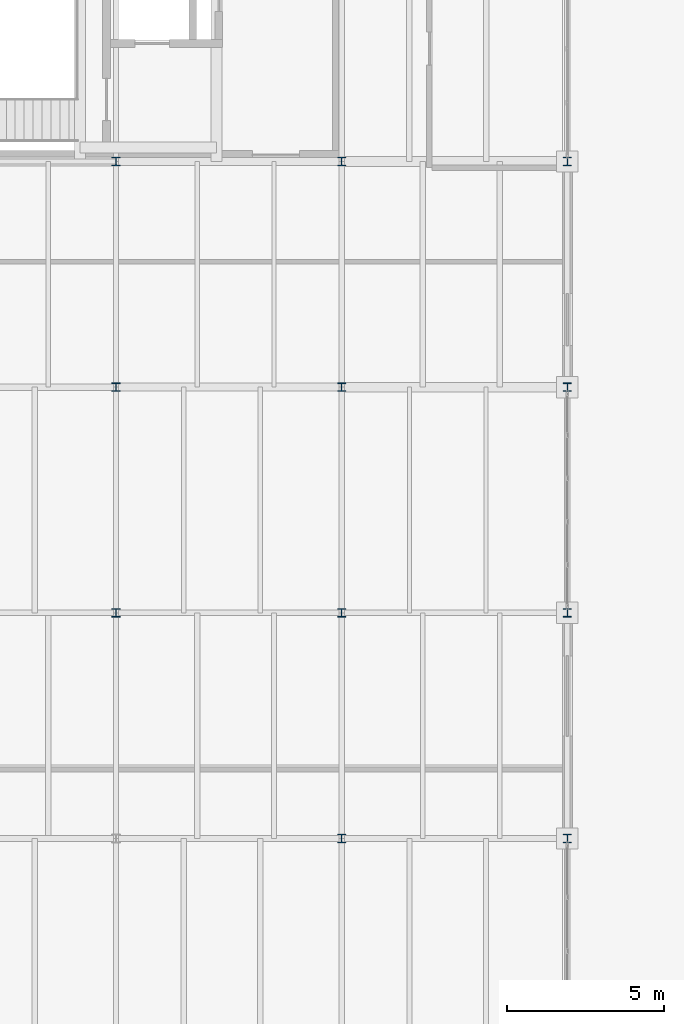
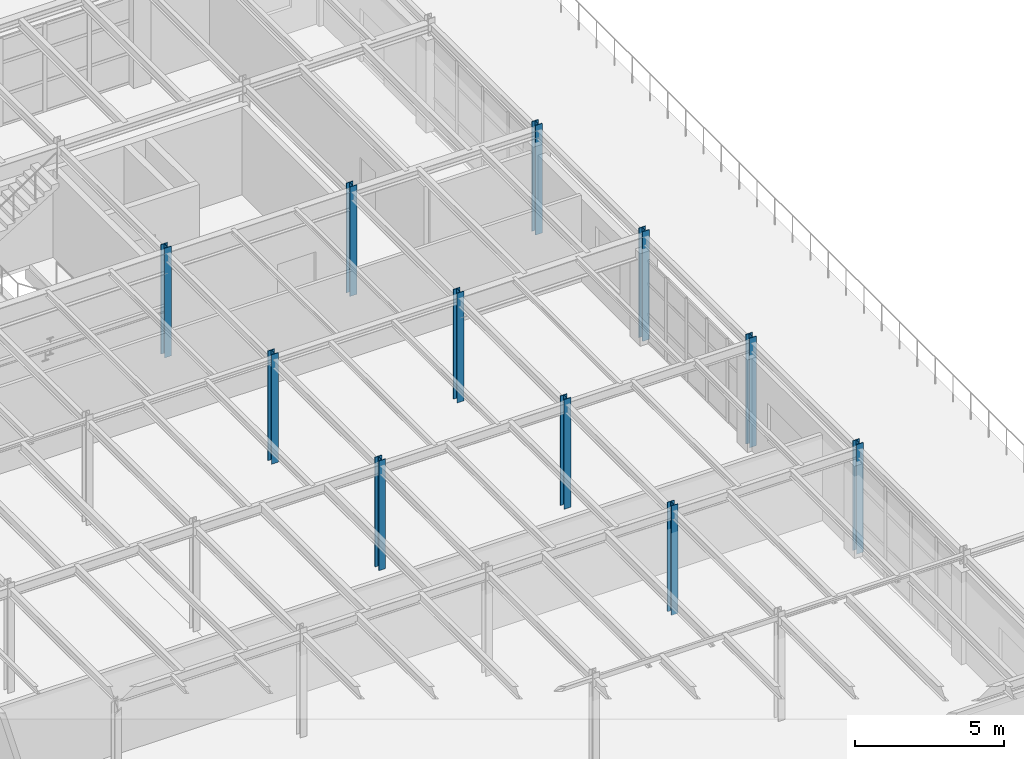
# One storey, part 5 of 101: 11 columns.
"""IFC4 building model written with IfcOpenShell, lengths in metres."""

from ifc_helpers import new_model, si_unit, direction, frame, origin, origin_2d, place, context, subcontext, project, spatial, i_section, extrude, material, material_profile, profile_set, type_object, element, save


model = new_model("IFC4")

# Units and contexts
model_context = context("Model", 3, precision=1e-05, world=origin(), true_north=direction((0.0, 1.0)))
body_context = subcontext(model_context, "Body", "Model", "MODEL_VIEW")
ifc_project = project(units=[si_unit("LENGTHUNIT", "METRE"), si_unit("AREAUNIT", "SQUARE_METRE"), si_unit("VOLUMEUNIT", "CUBIC_METRE"), si_unit("PLANEANGLEUNIT", "RADIAN"), si_unit("MASSUNIT", "GRAM", prefix="KILO")], contexts=[model_context])

# Site, building, storey
site_placement = place(None, origin())
site = spatial("IfcSite", under=ifc_project, at=site_placement, CompositionType="ELEMENT")
building_placement = place(site_placement, origin())
building = spatial("IfcBuilding", under=site, at=building_placement, Name="Kemerveld Promenade Tramway Depot", CompositionType="ELEMENT")
storey_placement = place(building_placement, frame((0.0, 0.0, 9.89990234375)))
storey = spatial("IfcBuildingStorey", under=building, at=storey_placement, Name="L02", CompositionType="ELEMENT", Elevation=9.89990234375)

# Columns
ifc_material = material(Name="Steel S355", Category="steel")
ifc_material_profile = material_profile(ifc_material, i_section(OverallWidth=0.26123046875, OverallDepth=0.2763671875, WebThickness=0.015380859375, FlangeThickness=0.025390625, FilletRadius=0.0126953125, at=origin_2d()), Name="254x254x132 UC")
ifc_profile_set = profile_set([ifc_material_profile], Name="Steel S355")
column_type = type_object("IfcColumnType", Name="COL-S07", PredefinedType="COLUMN", material=ifc_profile_set)
for number, where, z_axis, x_axis, name in (
    (1, (36.0, 43.199951171875, 0.0), (0.0, 0.0, 1.0), (1.0, 0.0, 0.0), "COL-L02-06-G"),
    (2, (36.0, 50.39990234375, 0.0), (0.0, 0.0, 1.0), (1.0, 0.0, 0.0), "COL-L02-06-H"),
    (3, (36.0, 57.60009765625, 0.0), (0.0, 0.0, 1.0), (1.0, 0.0, 0.0), "COL-L02-06-J"),
    (4, (43.199951171875, 36.0, 0.0), (0.0, 0.0, 1.0), (1.0, 0.0, 0.0), "COL-L02-07-F"),
    (5, (43.199951171875, 43.199951171875, 0.0), (0.0, 0.0, 1.0), (1.0, 0.0, 0.0), "COL-L02-07-G"),
    (6, (43.199951171875, 50.39990234375, 0.0), (0.0, 0.0, 1.0), (1.0, 0.0, 0.0), "COL-L02-07-H"),
    (7, (43.199951171875, 57.60009765625, 0.0), (0.0, 0.0, 1.0), (1.0, 0.0, 0.0), "COL-L02-07-J"),
    (8, (50.39990234375, 36.0, 0.0), (0.0, 0.0, 1.0), (1.0, 0.0, 0.0), "COL-L02-08-F"),
    (9, (50.39990234375, 43.199951171875, 0.0), (0.0, 0.0, 1.0), (1.0, 0.0, 0.0), "COL-L02-08-G"),
    (10, (50.39990234375, 50.39990234375, 0.0), (0.0, 0.0, 1.0), (1.0, 0.0, 0.0), "COL-L02-08-H"),
    (11, (50.39990234375, 57.60009765625, 0.0), (0.0, 0.0, 1.0), (1.0, 0.0, 0.0), "COL-L02-08-J"),
):
    element("IfcColumn", number, at=place(storey_placement, frame(where, z_axis=z_axis, x_axis=x_axis)), inside=storey, type_object=column_type, Name=name, PredefinedType="COLUMN", context=body_context, shape_type="SweptSolid", body=[
        extrude(i_section(OverallWidth=0.26123046875, OverallDepth=0.2763671875, WebThickness=0.015380859375, FlangeThickness=0.025390625, FilletRadius=0.0126953125, at=origin_2d()), origin(), (0.0, 0.0, 1.0), 4.5),
    ])

save(model, "model.ifc")
